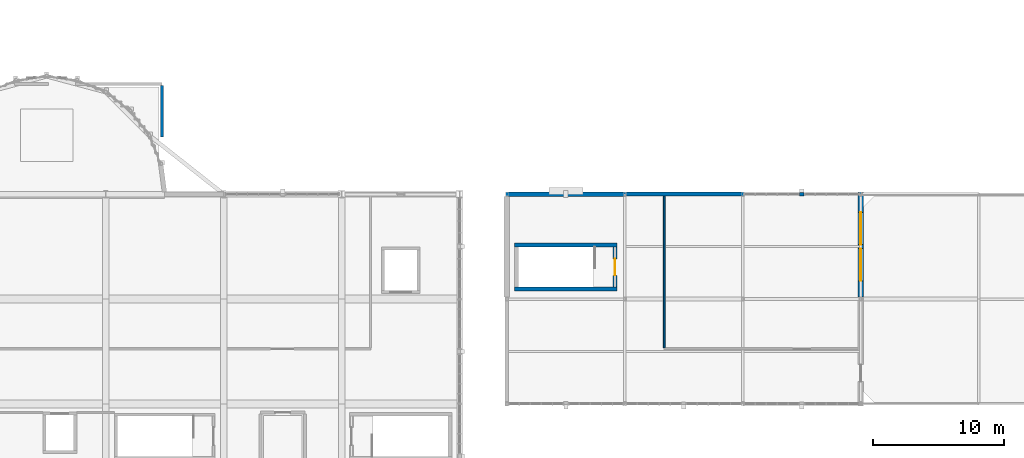
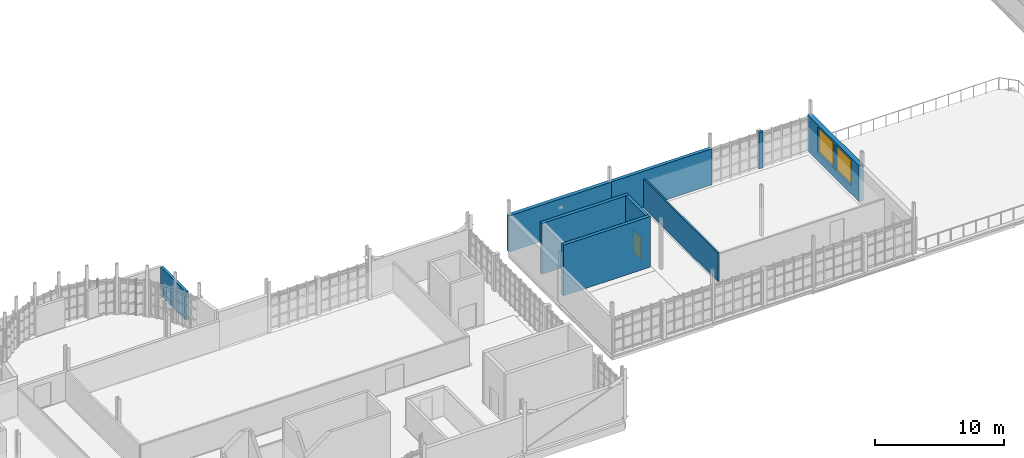
# One storey, part 116 of 128: 9 walls, 2 windows, 1 door, 3 openings.
"""IFC4 building model written with IfcOpenShell, lengths in metres."""

from ifc_helpers import new_model, si_unit, direction, frame, frame_2d, origin, place, context, subcontext, project, spatial, rectangle, extrude, material, layer, layer_set, type_object, element, fill, save


model = new_model("IFC4")

# Units and contexts
model_context = context("Model", 3, precision=1e-05, world=origin(), true_north=direction((0.0, 1.0)))
body_context = subcontext(model_context, "Body", "Model", "MODEL_VIEW")
ifc_project = project(units=[si_unit("LENGTHUNIT", "METRE"), si_unit("AREAUNIT", "SQUARE_METRE"), si_unit("VOLUMEUNIT", "CUBIC_METRE"), si_unit("PLANEANGLEUNIT", "RADIAN"), si_unit("MASSUNIT", "GRAM", prefix="KILO")], contexts=[model_context])

# Site, building, storey
site_placement = place(None, origin())
site = spatial("IfcSite", under=ifc_project, at=site_placement, CompositionType="ELEMENT")
building_placement = place(site_placement, origin())
building = spatial("IfcBuilding", under=site, at=building_placement, Name="Serraforn Aerial Cableway Station", CompositionType="ELEMENT")
storey_placement = place(building_placement, frame((0.0, 0.0, 9.0)))
storey = spatial("IfcBuildingStorey", under=building, at=storey_placement, Name="L02", CompositionType="ELEMENT", Elevation=9.0)

# Wall, opening, door
ifc_material_1 = material(Name="Concrete C35/45", Category="concrete")
ifc_layer_1 = layer(ifc_material_1, 0.300048828125)
ifc_layer_set_1 = layer_set([ifc_layer_1], Name="Concrete C35/45")
wall_type_1 = type_object("IfcWallType", Name="WL-COR-300", PredefinedType="SHEAR", material=ifc_layer_set_1)
wall_1_placement = place(storey_placement, frame((102.449951171875, 37.9599609375, 0.0), z_axis=(0.0, 0.0, 1.0), x_axis=(0.0, -1.0, 0.0)))
wall_1 = element("IfcWall", 1, at=wall_1_placement, inside=storey, type_object=wall_type_1, Name="Stair Core Shear Wall WCOR-ST-08-L02-NEAR", PredefinedType="SHEAR", context=body_context, shape_type="SweptSolid", body=[
    extrude(rectangle(XDim=3.06005859375, YDim=0.300048828125, at=frame_2d((1.530029296875, 0.0))), origin(), (0.0, 0.0, 1.0), 4.800048828125),
])
opening_1_placement = place(wall_1_placement, frame((0.905029296875, 0.0, 0.0)))
opening_1 = element("IfcOpeningElement", 2, at=opening_1_placement, cuts=wall_1, Name="Opening D-S34", PredefinedType="OPENING", context=body_context, shape_type="SweptSolid", body=[
    extrude(rectangle(XDim=1.25, YDim=2.14990234375, at=frame_2d((0.625, 1.074951171875))), frame((0.0, 0.159912109375, 0.0), z_axis=(0.0, -1.0, 0.0), x_axis=(1.0, 0.0, 0.0)), (0.0, 0.0, 1.0), 0.320068359375),
])
ifc_material_2 = material(Name="Self-closing steel stair fire door", Category="steel")
door_type = type_object("IfcDoorType", Name="DR-STAIR-125", OperationType="NOTDEFINED", PredefinedType="DOOR", material=ifc_material_2)
door_placement = place(opening_1_placement, origin())
door = element("IfcDoor", 3, at=door_placement, inside=storey, type_object=door_type, Name="Protected Stair Door D-S34", OperationType="SINGLE_SWING_LEFT", OverallHeight=2.14990234375, OverallWidth=1.25, PredefinedType="DOOR", context=body_context, shape_type="SweptSolid", body=[
    extrude(rectangle(XDim=1.25, YDim=2.14990234375, at=frame_2d((0.625, 1.074951171875))), frame((0.0, 0.02490234375, 0.0), z_axis=(0.0, -1.0, 0.0), x_axis=(1.0, 0.0, 0.0)), (0.0, 0.0, 1.0), 0.050048828125),
])
fill(opening_1, door)

# Walls
for number, where, z_axis, x_axis, name in (
    (4, (102.60009765625, 38.110107421875, 0.0), (0.0, 0.0, 1.0), (-1.0, 0.0, 0.0), "Stair Core Shear Wall WCOR-ST-08-L02-L"),
    (5, (102.60009765625, 34.75, 0.0), (0.0, 0.0, 1.0), (-1.0, 0.0, 0.0), "Stair Core Shear Wall WCOR-ST-08-L02-R"),
):
    element("IfcWall", number, at=place(storey_placement, frame(where, z_axis=z_axis, x_axis=x_axis)), inside=storey, type_object=wall_type_1, Name=name, PredefinedType="SHEAR", context=body_context, shape_type="SweptSolid", body=[
        extrude(rectangle(XDim=7.800048828125, YDim=0.300048828125, at=frame_2d((3.89990234375, 0.0))), origin(), (0.0, 0.0, 1.0), 4.800048828125),
    ])
ifc_material_3 = material(Name="Insulated stuccoed terracotta facade", Category="masonry")
ifc_layer_2 = layer(ifc_material_3, 0.27490234375)
ifc_layer_set_2 = layer_set([ifc_layer_2], Name="Insulated stuccoed terracotta facade")
wall_type_2 = type_object("IfcWallType", Name="WL-EXT-275", PredefinedType="SOLIDWALL", material=ifc_layer_set_2)
wall_2_placement = place(storey_placement, frame((116.8798828125, 42.0, 0.0), z_axis=(0.0, 0.0, 1.0), x_axis=(-1.0, 0.0, 0.0)))
element("IfcWall", 6, at=wall_2_placement, inside=storey, type_object=wall_type_2, Name="Exterior Wall WPIER-EL-L02-N3", PredefinedType="SOLIDWALL", context=body_context, shape_type="SweptSolid", body=[
    extrude(rectangle(XDim=0.35986328125, YDim=0.27490234375, at=frame_2d((0.179931640625, 0.0))), origin(), (0.0, 0.0, 1.0), 3.419921875),
])
ifc_material_4 = material(Name="Insulated fluted limestone rainscreen", Category="masonry")
ifc_layer_3 = layer(ifc_material_4, 0.304931640625)
ifc_layer_set_3 = layer_set([ifc_layer_3], Name="Insulated fluted limestone rainscreen")
wall_type_3 = type_object("IfcWallType", Name="WL-EXT-305", PredefinedType="SOLIDWALL", material=ifc_layer_set_3)
wall_3_placement = place(storey_placement, frame((112.300048828125, 42.0, 0.0), z_axis=(0.0, 0.0, 1.0), x_axis=(-1.0, 0.0, 0.0)))
element("IfcWall", 7, at=wall_3_placement, inside=storey, type_object=wall_type_3, Name="Exterior Wall WEXT-EL-L02-N2", PredefinedType="SOLIDWALL", context=body_context, shape_type="SweptSolid", body=[
    extrude(rectangle(XDim=8.9990234375, YDim=0.304931640625, at=frame_2d((4.49951171875, 0.0))), origin(), (0.0, 0.0, 1.0), 3.419921875),
])
ifc_layer_4 = layer(ifc_material_4, 0.3349609375)
ifc_layer_set_4 = layer_set([ifc_layer_4], Name="Insulated fluted limestone rainscreen")
wall_type_4 = type_object("IfcWallType", Name="WL-EXT-335", PredefinedType="SOLIDWALL", material=ifc_layer_set_4)
wall_4_placement = place(storey_placement, frame((103.300048828125, 42.0, 0.0), z_axis=(0.0, 0.0, 1.0), x_axis=(-1.0, 0.0, 0.0)))
element("IfcWall", 8, at=wall_4_placement, inside=storey, type_object=wall_type_4, Name="Exterior Wall WEXT-EL-L02-N1", PredefinedType="SOLIDWALL", context=body_context, shape_type="SweptSolid", body=[
    extrude(rectangle(XDim=9.199951171875, YDim=0.3349609375, at=frame_2d((4.60009765625, 0.0))), origin(), (0.0, 0.0, 1.0), 3.419921875),
])

# Wall, openings, windows
ifc_material_5 = material(Name="Montjuic sandstone ashlar masonry", Category="masonry")
ifc_layer_5 = layer(ifc_material_5, 0.39990234375)
ifc_layer_set_5 = layer_set([ifc_layer_5], Name="Montjuic sandstone ashlar masonry")
wall_type_5 = type_object("IfcWallType", Name="WL-EXT-400", PredefinedType="SOLIDWALL", material=ifc_layer_set_5)
wall_5_placement = place(storey_placement, frame((121.199951171875, 34.15087890625, 0.0), z_axis=(0.0, 0.0, 1.0), x_axis=(0.0, 1.0, 0.0)))
wall_5 = element("IfcWall", 9, at=wall_5_placement, inside=storey, type_object=wall_type_5, Name="Exterior Wall WEXT-EL-L02-E2", PredefinedType="SOLIDWALL", context=body_context, shape_type="SweptSolid", body=[
    extrude(rectangle(XDim=7.9990234375, YDim=0.39990234375, at=frame_2d((3.99951171875, 0.0))), origin(), (0.0, 0.0, 1.0), 3.419921875),
])
opening_2_placement = place(wall_5_placement, frame((1.24072265625, 0.0, 0.800048828125)))
opening_2 = element("IfcOpeningElement", 10, at=opening_2_placement, cuts=wall_5, Name="Opening W-15", PredefinedType="OPENING", context=body_context, shape_type="SweptSolid", body=[
    extrude(rectangle(XDim=2.449951171875, YDim=2.39990234375, at=frame_2d((1.22509765625, 1.199951171875))), frame((0.0, 0.2099609375, 0.0), z_axis=(0.0, -1.0, 0.0), x_axis=(1.0, 0.0, 0.0)), (0.0, 0.0, 1.0), 0.419921875),
])
opening_3_placement = place(wall_5_placement, frame((4.00732421875, 0.0, 0.800048828125)))
opening_3 = element("IfcOpeningElement", 11, at=opening_3_placement, cuts=wall_5, Name="Opening W-15", PredefinedType="OPENING", context=body_context, shape_type="SweptSolid", body=[
    extrude(rectangle(XDim=2.449951171875, YDim=2.39990234375, at=frame_2d((1.22509765625, 1.199951171875))), frame((0.0, 0.2099609375, 0.0), z_axis=(0.0, -1.0, 0.0), x_axis=(1.0, 0.0, 0.0)), (0.0, 0.0, 1.0), 0.419921875),
])
ifc_material_6 = material(Name="Anodised bronze aluminium and low-E double glazing", Category="aluminium")
window_type = type_object("IfcWindowType", Name="WIN-ART-15", PartitioningType="SINGLE_PANEL", PredefinedType="WINDOW", material=ifc_material_6)
window_1_placement = place(opening_2_placement, origin())
window_1 = element("IfcWindow", 12, at=window_1_placement, inside=storey, type_object=window_type, Name="Art Deco Window WEXT-EL-L02-E2-W1", OverallHeight=2.39990234375, OverallWidth=2.449951171875, PartitioningType="SINGLE_PANEL", PredefinedType="WINDOW", context=body_context, shape_type="SweptSolid", body=[
    extrude(rectangle(XDim=2.449951171875, YDim=2.39990234375, at=frame_2d((1.22509765625, 1.199951171875))), frame((0.0, 0.030029296875, 0.0), z_axis=(0.0, -1.0, 0.0), x_axis=(1.0, 0.0, 0.0)), (0.0, 0.0, 1.0), 0.06005859375),
])
fill(opening_2, window_1)
window_2_placement = place(opening_3_placement, origin())
window_2 = element("IfcWindow", 13, at=window_2_placement, inside=storey, type_object=window_type, Name="Art Deco Window WEXT-EL-L02-E2-W2", OverallHeight=2.39990234375, OverallWidth=2.449951171875, PartitioningType="SINGLE_PANEL", PredefinedType="WINDOW", context=body_context, shape_type="SweptSolid", body=[
    extrude(rectangle(XDim=2.449951171875, YDim=2.39990234375, at=frame_2d((1.22509765625, 1.199951171875))), frame((0.0, 0.030029296875, 0.0), z_axis=(0.0, -1.0, 0.0), x_axis=(1.0, 0.0, 0.0)), (0.0, 0.0, 1.0), 0.06005859375),
])
fill(opening_3, window_2)

# Walls
ifc_material_7 = material(Name="Acoustic twin-stud gypsum partition")
ifc_layer_6 = layer(ifc_material_7, 0.139892578125)
ifc_layer_set_6 = layer_set([ifc_layer_6], Name="Acoustic twin-stud gypsum partition")
wall_type_6 = type_object("IfcWallType", Name="WL-PRT-140", PredefinedType="PARTITIONING", material=ifc_layer_set_6)
wall_6_placement = place(storey_placement, frame((106.199951171875, 30.26611328125, 0.0), z_axis=(0.0, 0.0, 1.0), x_axis=(0.0, 1.0, 0.0)))
element("IfcWall", 14, at=wall_6_placement, inside=storey, type_object=wall_type_6, Name="Interior Partition WPRT-L02-11-188", PredefinedType="PARTITIONING", context=body_context, shape_type="SweptSolid", body=[
    extrude(rectangle(XDim=11.580322265625, YDim=0.139892578125, at=frame_2d((5.7900390625, 0.0))), origin(), (0.0, 0.0, 1.0), 2.699951171875),
])
ifc_material_8 = material(Name="Acoustic masonry blockwork", Category="masonry")
ifc_layer_7 = layer(ifc_material_8, 0.235107421875)
ifc_layer_set_7 = layer_set([ifc_layer_7], Name="Acoustic masonry blockwork")
wall_type_7 = type_object("IfcWallType", Name="WL-PRT-235", PredefinedType="PARTITIONING", material=ifc_layer_set_7)
wall_7_placement = place(storey_placement, frame((67.89990234375, 50.278076171875, 0.0), z_axis=(0.0, 0.0, 1.0), x_axis=(0.0, -1.0, 0.0)))
element("IfcWall", 15, at=wall_7_placement, inside=storey, type_object=wall_type_7, Name="Interior Partition WPRT-L02-06-183", PredefinedType="PARTITIONING", context=body_context, shape_type="SweptSolid", body=[
    extrude(rectangle(XDim=3.9208984375, YDim=0.235107421875, at=frame_2d((1.96044921875, 0.0))), origin(), (0.0, 0.0, 1.0), 2.699951171875),
])

save(model, "model.ifc")
